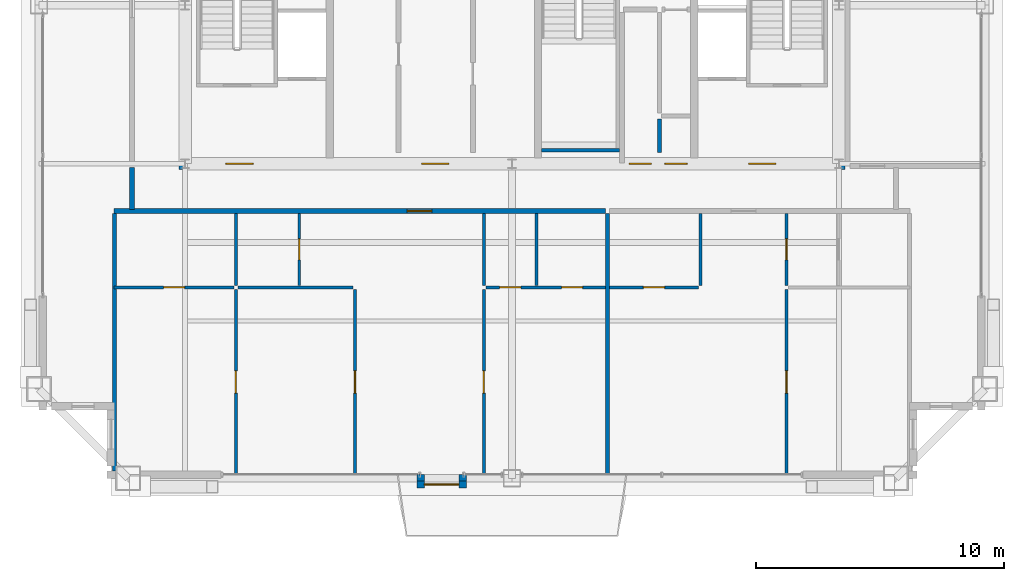
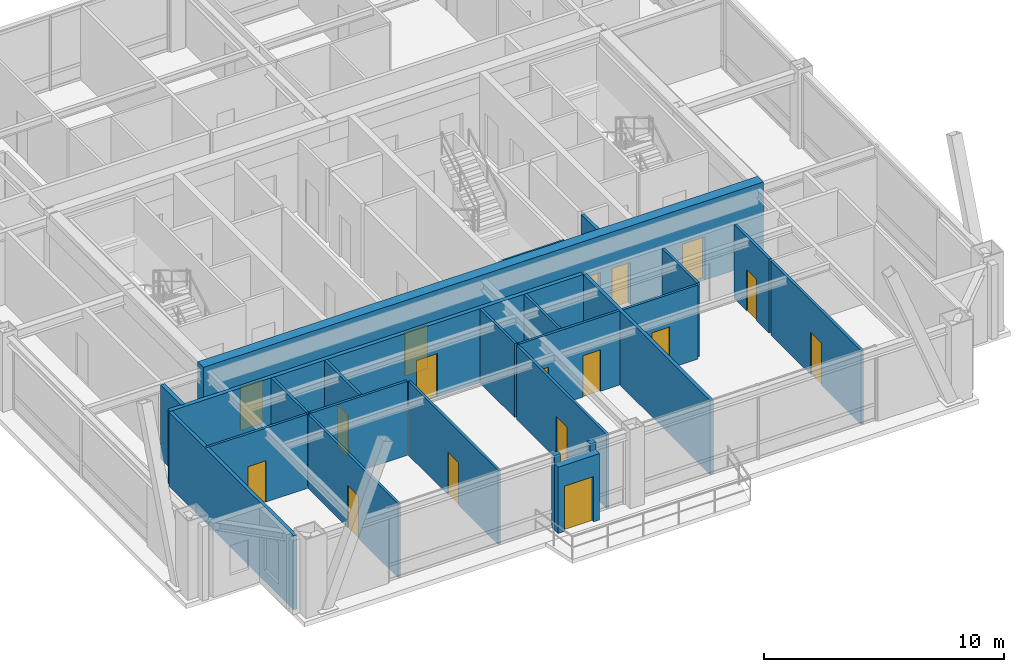
# One storey, part 30 of 35: 24 walls, 17 doors, 17 openings.
"""IFC4 building model written with IfcOpenShell, lengths in metres."""

from ifc_helpers import new_model, si_unit, direction, frame, frame_2d, origin, place, context, subcontext, project, spatial, rectangle, extrude, source, transform, mapped, material, layer, layer_set, type_object, element, fill, save


model = new_model("IFC4")

# Units and contexts
model_context = context("Model", 3, precision=1e-05, world=origin(), true_north=direction((0.0, 1.0)))
body_context = subcontext(model_context, "Body", "Model", "MODEL_VIEW")
ifc_project = project(units=[si_unit("LENGTHUNIT", "METRE"), si_unit("AREAUNIT", "SQUARE_METRE"), si_unit("VOLUMEUNIT", "CUBIC_METRE"), si_unit("PLANEANGLEUNIT", "RADIAN"), si_unit("MASSUNIT", "GRAM", prefix="KILO"), si_unit("THERMODYNAMICTEMPERATUREUNIT", "KELVIN"), si_unit("POWERUNIT", "WATT")], contexts=[model_context])

# Site, building, storey
site_placement = place(None, origin())
site = spatial("IfcSite", under=ifc_project, at=site_placement, CompositionType="ELEMENT")
building_placement = place(site_placement, origin())
building = spatial("IfcBuilding", under=site, at=building_placement, Name="Yuzanri Waterfront Tower", CompositionType="ELEMENT")
storey_placement = place(building_placement, frame((0.0, 0.0, 343.199951171875)))
storey = spatial("IfcBuildingStorey", under=building, at=storey_placement, Name="L92", CompositionType="ELEMENT", Elevation=343.199951171875)

# Wall, opening, door
ifc_material_1 = material(Name="Moisture-Resistant Gypsum Stud Wall", Category="gypsum")
ifc_layer_1 = layer(ifc_material_1, 0.1201171875)
ifc_layer_set_1 = layer_set([ifc_layer_1], Name="Moisture-Resistant Gypsum Stud Wall")
wall_type_1 = type_object("IfcWallType", Name="Bathroom and Kitchen Wet Partition 120", PredefinedType="PARTITIONING", material=ifc_layer_set_1)
wall_1_placement = place(storey_placement, frame((20.93994140625, 14.409912109375, 0.0), z_axis=(0.0, 0.0, 1.0), x_axis=(1.0, 0.0, 0.0)))
wall_1 = element("IfcWall", 1, at=wall_1_placement, inside=storey, type_object=wall_type_1, Name="L92 Partition UW-L92-HS1-SUB-1-S", PredefinedType="PARTITIONING", context=body_context, shape_type="SweptSolid", body=[
    extrude(rectangle(XDim=4.830078125, YDim=0.1201171875, at=frame_2d((2.4150390625, 0.0))), origin(), (0.0, 0.0, 1.0), 3.760009765625),
])
opening_1_placement = place(wall_1_placement, frame((1.989990234375, 0.0, 0.0)))
opening_1 = element("IfcOpeningElement", 2, at=opening_1_placement, cuts=wall_1, Name="Opening ID-0850", PredefinedType="OPENING", context=body_context, shape_type="SweptSolid", body=[
    extrude(rectangle(XDim=0.85009765625, YDim=2.10009765625, at=frame_2d((0.425048828125, 1.050048828125))), frame((0.0, 0.074951171875, 0.0), z_axis=(0.0, -1.0, 0.0), x_axis=(1.0, 0.0, 0.0)), (0.0, 0.0, 1.0), 0.14990234375),
])
ifc_material_2 = material(Name="Moisture-Resistant Lacquered Timber", Category="wood")
door_type_1 = type_object("IfcDoorType", Name="En-Suite Bathroom and Kitchen Swing Door 850x2100", OperationType="NOTDEFINED", PredefinedType="DOOR", material=ifc_material_2)
shared_shape_1 = source(origin(), body_context, "Body", "SweptSolid", [
    extrude(rectangle(XDim=0.85009765625, YDim=2.10009765625, at=frame_2d((0.425048828125, 1.050048828125))), frame((0.0, 0.02490234375, 0.0), z_axis=(0.0, -1.0, 0.0), x_axis=(1.0, 0.0, 0.0)), (0.0, 0.0, 1.0), 0.050048828125),
])
door_1_placement = place(opening_1_placement, origin())
door_1 = element("IfcDoor", 3, at=door_1_placement, inside=storey, type_object=door_type_1, Name="L92 Suite Interior Room Door", OperationType="SINGLE_SWING_LEFT", OverallHeight=2.10009765625, OverallWidth=0.85009765625, PredefinedType="DOOR", context=body_context, shape_type="MappedRepresentation", body=[
    mapped(shared_shape_1, transform((0.0, 0.0, 0.0), scale=1.0)),
])
fill(opening_1, door_1)

wall_2_placement = place(storey_placement, frame((28.409912109375, 14.489990234375, 0.0), z_axis=(0.0, 0.0, 1.0), x_axis=(0.0, 1.0, 0.0)))
wall_2 = element("IfcWall", 4, at=wall_2_placement, inside=storey, type_object=wall_type_1, Name="L92 Partition UW-L92-HS1-SUB-2-E", PredefinedType="PARTITIONING", context=body_context, shape_type="SweptSolid", body=[
    extrude(rectangle(XDim=2.89990234375, YDim=0.1201171875, at=frame_2d((1.449951171875, 0.0))), origin(), (0.0, 0.0, 1.0), 3.760009765625),
])
opening_2_placement = place(wall_2_placement, frame((1.02490234375, 0.0, 0.0)))
opening_2 = element("IfcOpeningElement", 5, at=opening_2_placement, cuts=wall_2, Name="Opening ID-0850", PredefinedType="OPENING", context=body_context, shape_type="SweptSolid", body=[
    extrude(rectangle(XDim=0.85009765625, YDim=2.10009765625, at=frame_2d((0.425048828125, 1.050048828125))), frame((0.0, 0.074951171875, 0.0), z_axis=(0.0, -1.0, 0.0), x_axis=(1.0, 0.0, 0.0)), (0.0, 0.0, 1.0), 0.14990234375),
])
door_2_placement = place(opening_2_placement, origin())
door_2 = element("IfcDoor", 6, at=door_2_placement, inside=storey, type_object=door_type_1, Name="L92 Suite Interior Room Door", OperationType="SINGLE_SWING_RIGHT", OverallHeight=2.10009765625, OverallWidth=0.85009765625, PredefinedType="DOOR", context=body_context, shape_type="MappedRepresentation", body=[
    mapped(shared_shape_1, transform((0.0, 0.0, 0.0), scale=1.0)),
])
fill(opening_2, door_2)

wall_3_placement = place(storey_placement, frame((25.85009765625, 6.85009765625, 0.0), z_axis=(0.0, 0.0, 1.0), x_axis=(0.0, 1.0, 0.0)))
wall_3 = element("IfcWall", 7, at=wall_3_placement, inside=storey, type_object=wall_type_1, Name="L92 Partition UW-L92-HS1-SUB-5-E", PredefinedType="PARTITIONING", context=body_context, shape_type="SweptSolid", body=[
    extrude(rectangle(XDim=7.47998046875, YDim=0.1201171875, at=frame_2d((3.739990234375, 0.0))), origin(), (0.0, 0.0, 1.0), 3.760009765625),
])
opening_3_placement = place(wall_3_placement, frame((3.2900390625, 0.0, 0.0)))
opening_3 = element("IfcOpeningElement", 8, at=opening_3_placement, cuts=wall_3, Name="Opening ID-0900", PredefinedType="OPENING", context=body_context, shape_type="SweptSolid", body=[
    extrude(rectangle(XDim=0.89990234375, YDim=2.14990234375, at=frame_2d((0.449951171875, 1.074951171875))), frame((0.0, 0.074951171875, 0.0), z_axis=(0.0, -1.0, 0.0), x_axis=(1.0, 0.0, 0.0)), (0.0, 0.0, 1.0), 0.14990234375),
])
ifc_material_3 = material(Name="Stained Walnut Veneer Timber", Category="wood")
door_type_2 = type_object("IfcDoorType", Name="Bedroom and Study Interior Swing Door 900x2150", OperationType="NOTDEFINED", PredefinedType="DOOR", material=ifc_material_3)
shared_shape_2 = source(origin(), body_context, "Body", "SweptSolid", [
    extrude(rectangle(XDim=0.89990234375, YDim=2.14990234375, at=frame_2d((0.449951171875, 1.074951171875))), frame((0.0, 0.02490234375, 0.0), z_axis=(0.0, -1.0, 0.0), x_axis=(1.0, 0.0, 0.0)), (0.0, 0.0, 1.0), 0.050048828125),
])
door_3_placement = place(opening_3_placement, origin())
door_3 = element("IfcDoor", 9, at=door_3_placement, inside=storey, type_object=door_type_2, Name="L92 Suite Interior Room Door", OperationType="SINGLE_SWING_LEFT", OverallHeight=2.14990234375, OverallWidth=0.89990234375, PredefinedType="DOOR", context=body_context, shape_type="MappedRepresentation", body=[
    mapped(shared_shape_2, transform((0.0, 0.0, 0.0), scale=1.0)),
])
fill(opening_3, door_3)

# Wall, openings, doors
wall_4_placement = place(storey_placement, frame((35.944091796875, 14.409912109375, 0.0), z_axis=(0.0, 0.0, 1.0), x_axis=(1.0, 0.0, 0.0)))
wall_4 = element("IfcWall", 10, at=wall_4_placement, inside=storey, type_object=wall_type_1, Name="L92 Partition UW-L92-HS1-SUB-6-N", PredefinedType="PARTITIONING", context=body_context, shape_type="SweptSolid", body=[
    extrude(rectangle(XDim=4.829833984375, YDim=0.1201171875, at=frame_2d((2.4150390625, 0.0))), origin(), (0.0, 0.0, 1.0), 3.760009765625),
])
opening_4_placement = place(wall_4_placement, frame((3.054931640625, 0.0, 0.0)))
opening_4 = element("IfcOpeningElement", 11, at=opening_4_placement, cuts=wall_4, Name="Opening ID-0850", PredefinedType="OPENING", context=body_context, shape_type="SweptSolid", body=[
    extrude(rectangle(XDim=0.85009765625, YDim=2.10009765625, at=frame_2d((0.425048828125, 1.050048828125))), frame((0.0, 0.074951171875, 0.0), z_axis=(0.0, -1.0, 0.0), x_axis=(1.0, 0.0, 0.0)), (0.0, 0.0, 1.0), 0.14990234375),
])
opening_5_placement = place(wall_4_placement, frame((0.56005859375, 0.0, 0.0)))
opening_5 = element("IfcOpeningElement", 12, at=opening_5_placement, cuts=wall_4, Name="Opening ID-0850", PredefinedType="OPENING", context=body_context, shape_type="SweptSolid", body=[
    extrude(rectangle(XDim=0.85009765625, YDim=2.10009765625, at=frame_2d((0.425048828125, 1.050048828125))), frame((0.0, 0.074951171875, 0.0), z_axis=(0.0, -1.0, 0.0), x_axis=(1.0, 0.0, 0.0)), (0.0, 0.0, 1.0), 0.14990234375),
])
door_4_placement = place(opening_4_placement, origin())
door_4 = element("IfcDoor", 13, at=door_4_placement, inside=storey, type_object=door_type_1, Name="L92 Suite Interior Room Door", OperationType="SINGLE_SWING_LEFT", OverallHeight=2.10009765625, OverallWidth=0.85009765625, PredefinedType="DOOR", context=body_context, shape_type="MappedRepresentation", body=[
    mapped(shared_shape_1, transform((0.0, 0.0, 0.0), scale=1.0)),
])
fill(opening_4, door_4)
door_5_placement = place(opening_5_placement, origin())
door_5 = element("IfcDoor", 14, at=door_5_placement, inside=storey, type_object=door_type_1, Name="L92 Suite Interior Room Door", OperationType="SINGLE_SWING_RIGHT", OverallHeight=2.10009765625, OverallWidth=0.85009765625, PredefinedType="DOOR", context=body_context, shape_type="MappedRepresentation", body=[
    mapped(shared_shape_1, transform((0.0, 0.0, 0.0), scale=1.0)),
])
fill(opening_5, door_5)

# Wall, opening, door
wall_5_placement = place(storey_placement, frame((35.864013671875, 6.85009765625, 0.0), z_axis=(0.0, 0.0, 1.0), x_axis=(0.0, 1.0, 0.0)))
wall_5 = element("IfcWall", 15, at=wall_5_placement, inside=storey, type_object=wall_type_1, Name="L92 Partition UW-L92-HS1-SUB-6-W", PredefinedType="PARTITIONING", context=body_context, shape_type="SweptSolid", body=[
    extrude(rectangle(XDim=7.47998046875, YDim=0.1201171875, at=frame_2d((3.739990234375, 0.0))), origin(), (0.0, 0.0, 1.0), 3.760009765625),
])
opening_6_placement = place(wall_5_placement, frame((3.2900390625, 0.0, 0.0)))
opening_6 = element("IfcOpeningElement", 16, at=opening_6_placement, cuts=wall_5, Name="Opening ID-0900", PredefinedType="OPENING", context=body_context, shape_type="SweptSolid", body=[
    extrude(rectangle(XDim=0.89990234375, YDim=2.14990234375, at=frame_2d((0.449951171875, 1.074951171875))), frame((0.0, 0.074951171875, 0.0), z_axis=(0.0, -1.0, 0.0), x_axis=(1.0, 0.0, 0.0)), (0.0, 0.0, 1.0), 0.14990234375),
])
door_6_placement = place(opening_6_placement, origin())
door_6 = element("IfcDoor", 17, at=door_6_placement, inside=storey, type_object=door_type_2, Name="L92 Suite Interior Room Door", OperationType="SINGLE_SWING_RIGHT", OverallHeight=2.14990234375, OverallWidth=0.89990234375, PredefinedType="DOOR", context=body_context, shape_type="MappedRepresentation", body=[
    mapped(shared_shape_2, transform((0.0, 0.0, 0.0), scale=1.0)),
])
fill(opening_6, door_6)

wall_6_placement = place(storey_placement, frame((30.6640625, 6.85009765625, 0.0), z_axis=(0.0, 0.0, 1.0), x_axis=(0.0, 1.0, 0.0)))
wall_6 = element("IfcWall", 18, at=wall_6_placement, inside=storey, type_object=wall_type_1, Name="L92 Partition UW-L92-HS1-SUB-7-E", PredefinedType="PARTITIONING", context=body_context, shape_type="SweptSolid", body=[
    extrude(rectangle(XDim=7.47998046875, YDim=0.1201171875, at=frame_2d((3.739990234375, 0.0))), origin(), (0.0, 0.0, 1.0), 3.760009765625),
])
opening_7_placement = place(wall_6_placement, frame((3.2900390625, 0.0, 0.0)))
opening_7 = element("IfcOpeningElement", 19, at=opening_7_placement, cuts=wall_6, Name="Opening ID-0900", PredefinedType="OPENING", context=body_context, shape_type="SweptSolid", body=[
    extrude(rectangle(XDim=0.89990234375, YDim=2.14990234375, at=frame_2d((0.449951171875, 1.074951171875))), frame((0.0, 0.074951171875, 0.0), z_axis=(0.0, -1.0, 0.0), x_axis=(1.0, 0.0, 0.0)), (0.0, 0.0, 1.0), 0.14990234375),
])
door_7_placement = place(opening_7_placement, origin())
door_7 = element("IfcDoor", 20, at=door_7_placement, inside=storey, type_object=door_type_2, Name="L92 Suite Interior Room Door", OperationType="SINGLE_SWING_LEFT", OverallHeight=2.14990234375, OverallWidth=0.89990234375, PredefinedType="DOOR", context=body_context, shape_type="MappedRepresentation", body=[
    mapped(shared_shape_2, transform((0.0, 0.0, 0.0), scale=1.0)),
])
fill(opening_7, door_7)

wall_7_placement = place(storey_placement, frame((40.93408203125, 14.409912109375, 0.0), z_axis=(0.0, 0.0, 1.0), x_axis=(1.0, 0.0, 0.0)))
wall_7 = element("IfcWall", 21, at=wall_7_placement, inside=storey, type_object=wall_type_1, Name="L92 Partition UW-L92-HS2-SUB-1-S", PredefinedType="PARTITIONING", context=body_context, shape_type="SweptSolid", body=[
    extrude(rectangle(XDim=3.599853515625, YDim=0.1201171875, at=frame_2d((1.7998046875, 0.0))), origin(), (0.0, 0.0, 1.0), 3.760009765625),
])
opening_8_placement = place(wall_7_placement, frame((1.375, 0.0, 0.0)))
opening_8 = element("IfcOpeningElement", 22, at=opening_8_placement, cuts=wall_7, Name="Opening ID-0850", PredefinedType="OPENING", context=body_context, shape_type="SweptSolid", body=[
    extrude(rectangle(XDim=0.85009765625, YDim=2.10009765625, at=frame_2d((0.425048828125, 1.050048828125))), frame((0.0, 0.074951171875, 0.0), z_axis=(0.0, -1.0, 0.0), x_axis=(1.0, 0.0, 0.0)), (0.0, 0.0, 1.0), 0.14990234375),
])
door_8_placement = place(opening_8_placement, origin())
door_8 = element("IfcDoor", 23, at=door_8_placement, inside=storey, type_object=door_type_1, Name="L92 Suite Interior Room Door", OperationType="SINGLE_SWING_LEFT", OverallHeight=2.10009765625, OverallWidth=0.85009765625, PredefinedType="DOOR", context=body_context, shape_type="MappedRepresentation", body=[
    mapped(shared_shape_1, transform((0.0, 0.0, 0.0), scale=1.0)),
])
fill(opening_8, door_8)

wall_8_placement = place(storey_placement, frame((48.08203125, 6.85009765625, 0.0), z_axis=(0.0, 0.0, 1.0), x_axis=(0.0, 1.0, 0.0)))
wall_8 = element("IfcWall", 24, at=wall_8_placement, inside=storey, type_object=wall_type_1, Name="L92 Partition UW-L92-HS2-SUB-3-W", PredefinedType="PARTITIONING", context=body_context, shape_type="SweptSolid", body=[
    extrude(rectangle(XDim=7.47998046875, YDim=0.1201171875, at=frame_2d((3.739990234375, 0.0))), origin(), (0.0, 0.0, 1.0), 3.760009765625),
])
opening_9_placement = place(wall_8_placement, frame((3.2900390625, 0.0, 0.0)))
opening_9 = element("IfcOpeningElement", 25, at=opening_9_placement, cuts=wall_8, Name="Opening ID-0900", PredefinedType="OPENING", context=body_context, shape_type="SweptSolid", body=[
    extrude(rectangle(XDim=0.89990234375, YDim=2.14990234375, at=frame_2d((0.449951171875, 1.074951171875))), frame((0.0, 0.074951171875, 0.0), z_axis=(0.0, -1.0, 0.0), x_axis=(1.0, 0.0, 0.0)), (0.0, 0.0, 1.0), 0.14990234375),
])
door_9_placement = place(opening_9_placement, origin())
door_9 = element("IfcDoor", 26, at=door_9_placement, inside=storey, type_object=door_type_2, Name="L92 Suite Interior Room Door", OperationType="SINGLE_SWING_LEFT", OverallHeight=2.14990234375, OverallWidth=0.89990234375, PredefinedType="DOOR", context=body_context, shape_type="MappedRepresentation", body=[
    mapped(shared_shape_2, transform((0.0, 0.0, 0.0), scale=1.0)),
])
fill(opening_9, door_9)

wall_9_placement = place(storey_placement, frame((48.08203125, 14.489990234375, 0.0), z_axis=(0.0, 0.0, 1.0), x_axis=(0.0, 1.0, 0.0)))
wall_9 = element("IfcWall", 27, at=wall_9_placement, inside=storey, type_object=wall_type_1, Name="L92 Partition UW-L92-HS2-SUB-4-W", PredefinedType="PARTITIONING", context=body_context, shape_type="SweptSolid", body=[
    extrude(rectangle(XDim=2.89990234375, YDim=0.1201171875, at=frame_2d((1.449951171875, 0.0))), origin(), (0.0, 0.0, 1.0), 3.760009765625),
])
opening_10_placement = place(wall_9_placement, frame((1.02490234375, 0.0, 0.0)))
opening_10 = element("IfcOpeningElement", 28, at=opening_10_placement, cuts=wall_9, Name="Opening ID-0850", PredefinedType="OPENING", context=body_context, shape_type="SweptSolid", body=[
    extrude(rectangle(XDim=0.85009765625, YDim=2.10009765625, at=frame_2d((0.425048828125, 1.050048828125))), frame((0.0, 0.074951171875, 0.0), z_axis=(0.0, -1.0, 0.0), x_axis=(1.0, 0.0, 0.0)), (0.0, 0.0, 1.0), 0.14990234375),
])
door_10_placement = place(opening_10_placement, origin())
door_10 = element("IfcDoor", 29, at=door_10_placement, inside=storey, type_object=door_type_1, Name="L92 Suite Interior Room Door", OperationType="SINGLE_SWING_RIGHT", OverallHeight=2.10009765625, OverallWidth=0.85009765625, PredefinedType="DOOR", context=body_context, shape_type="MappedRepresentation", body=[
    mapped(shared_shape_1, transform((0.0, 0.0, 0.0), scale=1.0)),
])
fill(opening_10, door_10)

ifc_material_4 = material(Name="Honed Chongqing Dark Basalt Stone", Category="masonry")
ifc_layer_2 = layer(ifc_material_4, 0.300048828125)
ifc_layer_set_2 = layer_set([ifc_layer_2], Name="Honed Chongqing Dark Basalt Stone")
wall_type_2 = type_object("IfcWallType", Name="Bronze Rainscreen Insulated Spandrel Portal Wall 300", PredefinedType="SOLIDWALL", material=ifc_layer_set_2)
wall_10_placement = place(storey_placement, frame((33.158935546875, 6.449951171875, 0.0), z_axis=(0.0, 0.0, 1.0), x_axis=(1.0, 0.0, 0.0)))
wall_10 = element("IfcWall", 30, at=wall_10_placement, inside=storey, type_object=wall_type_2, Name="L92 S Terrace Door Portal Wall", PredefinedType="SOLIDWALL", context=body_context, shape_type="SweptSolid", body=[
    extrude(rectangle(XDim=2.0, YDim=0.300048828125, at=frame_2d((1.0, 0.0))), origin(), (0.0, 0.0, 1.0), 3.364990234375),
])
opening_11_placement = place(wall_10_placement, frame((0.300048828125, 0.0, 0.0)))
opening_11 = element("IfcOpeningElement", 31, at=opening_11_placement, cuts=wall_10, Name="Opening TD-1400", PredefinedType="OPENING", context=body_context, shape_type="SweptSolid", body=[
    extrude(rectangle(XDim=1.39990234375, YDim=2.300048828125, at=frame_2d((0.699951171875, 1.14990234375))), frame((0.0, 0.1650390625, 0.0), z_axis=(0.0, -1.0, 0.0), x_axis=(1.0, 0.0, 0.0)), (0.0, 0.0, 1.0), 0.329833984375),
])
ifc_material_5 = material(Name="Anodized Architectural Bronze", Category="metal")
door_type_3 = type_object("IfcDoorType", Name="Anodized Bronze Balcony and Terrace Glazed Double Door 1400x2300", OperationType="NOTDEFINED", PredefinedType="DOOR", material=ifc_material_5)
shared_shape_3 = source(origin(), body_context, "Body", "SweptSolid", [
    extrude(rectangle(XDim=1.39990234375, YDim=2.300048828125, at=frame_2d((0.699951171875, 1.14990234375))), frame((0.0, 0.02490234375, 0.0), z_axis=(0.0, -1.0, 0.0), x_axis=(1.0, 0.0, 0.0)), (0.0, 0.0, 1.0), 0.050048828125),
])
door_11_placement = place(opening_11_placement, origin())
door_11 = element("IfcDoor", 32, at=door_11_placement, inside=storey, type_object=door_type_3, Name="L92 S Terrace Glazed Double Door", OperationType="DOUBLE_DOOR_SINGLE_SWING", OverallHeight=2.300048828125, OverallWidth=1.39990234375, PredefinedType="DOOR", context=body_context, shape_type="MappedRepresentation", body=[
    mapped(shared_shape_3, transform((0.0, 0.0, 0.0), scale=1.0)),
])
fill(opening_11, door_11)

# Wall, openings, doors
ifc_material_6 = material(Name="Concrete C45", Category="concrete")
ifc_layer_3 = layer(ifc_material_6, 0.47998046875)
ifc_layer_set_3 = layer_set([ifc_layer_3], Name="Concrete C45")
wall_type_3 = type_object("IfcWallType", Name="Concrete C45 High-Rise Core Shear Wall 480", PredefinedType="SHEAR", material=ifc_layer_set_3)
wall_11_placement = place(storey_placement, frame((23.56005859375, 19.39990234375, 0.0), z_axis=(0.0, 0.0, 1.0), x_axis=(1.0, 0.0, 0.0)))
wall_11 = element("IfcWall", 33, at=wall_11_placement, inside=storey, type_object=wall_type_3, Name="L92 Core South Shear Wall", PredefinedType="SHEAR", context=body_context, shape_type="SweptSolid", body=[
    extrude(rectangle(XDim=26.8798828125, YDim=0.47998046875, at=frame_2d((13.43994140625, 0.0))), origin(), (0.0, 0.0, 1.0), 4.0),
])
opening_12_placement = place(wall_11_placement, frame((1.889892578125, 0.0, 0.0)))
opening_12 = element("IfcOpeningElement", 34, at=opening_12_placement, cuts=wall_11, Name="Opening FD-1100", PredefinedType="OPENING", context=body_context, shape_type="SweptSolid", body=[
    extrude(rectangle(XDim=1.10009765625, YDim=2.199951171875, at=frame_2d((0.550048828125, 1.10009765625))), frame((0.0, 0.2548828125, 0.0), z_axis=(0.0, -1.0, 0.0), x_axis=(1.0, 0.0, 0.0)), (0.0, 0.0, 1.0), 0.509765625),
])
opening_13_placement = place(wall_11_placement, frame((9.7900390625, 0.0, 0.0)))
opening_13 = element("IfcOpeningElement", 35, at=opening_13_placement, cuts=wall_11, Name="Opening FD-1100", PredefinedType="OPENING", context=body_context, shape_type="SweptSolid", body=[
    extrude(rectangle(XDim=1.10009765625, YDim=2.199951171875, at=frame_2d((0.550048828125, 1.10009765625))), frame((0.0, 0.2548828125, 0.0), z_axis=(0.0, -1.0, 0.0), x_axis=(1.0, 0.0, 0.0)), (0.0, 0.0, 1.0), 0.509765625),
])
opening_14_placement = place(wall_11_placement, frame((22.989990234375, 0.0, 0.0)))
opening_14 = element("IfcOpeningElement", 36, at=opening_14_placement, cuts=wall_11, Name="Opening FD-1100", PredefinedType="OPENING", context=body_context, shape_type="SweptSolid", body=[
    extrude(rectangle(XDim=1.10009765625, YDim=2.199951171875, at=frame_2d((0.550048828125, 1.10009765625))), frame((0.0, 0.2548828125, 0.0), z_axis=(0.0, -1.0, 0.0), x_axis=(1.0, 0.0, 0.0)), (0.0, 0.0, 1.0), 0.509765625),
])
opening_15_placement = place(wall_11_placement, frame((19.610107421875, 0.0, 0.0)))
opening_15 = element("IfcOpeningElement", 37, at=opening_15_placement, cuts=wall_11, Name="Opening FD-0900", PredefinedType="OPENING", context=body_context, shape_type="SweptSolid", body=[
    extrude(rectangle(XDim=0.89990234375, YDim=2.14990234375, at=frame_2d((0.449951171875, 1.074951171875))), frame((0.0, 0.2548828125, 0.0), z_axis=(0.0, -1.0, 0.0), x_axis=(1.0, 0.0, 0.0)), (0.0, 0.0, 1.0), 0.509765625),
])
opening_16_placement = place(wall_11_placement, frame((18.169921875, 0.0, 0.0)))
opening_16 = element("IfcOpeningElement", 38, at=opening_16_placement, cuts=wall_11, Name="Opening FD-0900", PredefinedType="OPENING", context=body_context, shape_type="SweptSolid", body=[
    extrude(rectangle(XDim=0.89990234375, YDim=2.14990234375, at=frame_2d((0.449951171875, 1.074951171875))), frame((0.0, 0.2548828125, 0.0), z_axis=(0.0, -1.0, 0.0), x_axis=(1.0, 0.0, 0.0)), (0.0, 0.0, 1.0), 0.509765625),
])
ifc_material_7 = material(Name="Painted Galvanized Fire Steel", Category="steel")
door_type_4 = type_object("IfcDoorType", Name="Smoke-Proof Stair and Lobby Fire Door 1100x2200", OperationType="NOTDEFINED", PredefinedType="DOOR", material=ifc_material_7)
shared_shape_4 = source(origin(), body_context, "Body", "SweptSolid", [
    extrude(rectangle(XDim=1.10009765625, YDim=2.199951171875, at=frame_2d((0.550048828125, 1.10009765625))), frame((0.0, 0.02490234375, 0.0), z_axis=(0.0, -1.0, 0.0), x_axis=(1.0, 0.0, 0.0)), (0.0, 0.0, 1.0), 0.050048828125),
])
door_12_placement = place(opening_12_placement, origin())
door_12 = element("IfcDoor", 39, at=door_12_placement, inside=storey, type_object=door_type_4, Name="L92 West Firefighting Lobby Door", OperationType="SINGLE_SWING_LEFT", OverallHeight=2.199951171875, OverallWidth=1.10009765625, PredefinedType="DOOR", context=body_context, shape_type="MappedRepresentation", body=[
    mapped(shared_shape_4, transform((0.0, 0.0, 0.0), scale=1.0)),
])
fill(opening_12, door_12)
door_13_placement = place(opening_13_placement, origin())
door_13 = element("IfcDoor", 40, at=door_13_placement, inside=storey, type_object=door_type_4, Name="L92 Central Lift Lobby South Door", OperationType="SINGLE_SWING_RIGHT", OverallHeight=2.199951171875, OverallWidth=1.10009765625, PredefinedType="DOOR", context=body_context, shape_type="MappedRepresentation", body=[
    mapped(shared_shape_4, transform((0.0, 0.0, 0.0), scale=1.0)),
])
fill(opening_13, door_13)
door_14_placement = place(opening_14_placement, origin())
door_14 = element("IfcDoor", 41, at=door_14_placement, inside=storey, type_object=door_type_4, Name="L92 East Firefighting Lobby Door", OperationType="SINGLE_SWING_LEFT", OverallHeight=2.199951171875, OverallWidth=1.10009765625, PredefinedType="DOOR", context=body_context, shape_type="MappedRepresentation", body=[
    mapped(shared_shape_4, transform((0.0, 0.0, 0.0), scale=1.0)),
])
fill(opening_14, door_14)
ifc_material_8 = material(Name="Painted Galvanized Fire Steel", Category="steel")
door_type_5 = type_object("IfcDoorType", Name="Riser and Service Room Fire Door 900x2150", OperationType="NOTDEFINED", PredefinedType="DOOR", material=ifc_material_8)
shared_shape_5 = source(origin(), body_context, "Body", "SweptSolid", [
    extrude(rectangle(XDim=0.89990234375, YDim=2.14990234375, at=frame_2d((0.449951171875, 1.074951171875))), frame((0.0, 0.02490234375, 0.0), z_axis=(0.0, -1.0, 0.0), x_axis=(1.0, 0.0, 0.0)), (0.0, 0.0, 1.0), 0.050048828125),
])
door_15_placement = place(opening_15_placement, origin())
door_15 = element("IfcDoor", 42, at=door_15_placement, inside=storey, type_object=door_type_5, Name="L92 East Wet Riser Door", OperationType="SINGLE_SWING_LEFT", OverallHeight=2.14990234375, OverallWidth=0.89990234375, PredefinedType="DOOR", context=body_context, shape_type="MappedRepresentation", body=[
    mapped(shared_shape_5, transform((0.0, 0.0, 0.0), scale=1.0)),
])
fill(opening_15, door_15)
door_16_placement = place(opening_16_placement, origin())
door_16 = element("IfcDoor", 43, at=door_16_placement, inside=storey, type_object=door_type_5, Name="L92 Cleaners Store Room", OperationType="SINGLE_SWING_RIGHT", OverallHeight=2.14990234375, OverallWidth=0.89990234375, PredefinedType="DOOR", context=body_context, shape_type="MappedRepresentation", body=[
    mapped(shared_shape_5, transform((0.0, 0.0, 0.0), scale=1.0)),
])
fill(opening_16, door_16)

# Wall, opening, door
ifc_material_9 = material(Name="Autoclaved Aerated Concrete Blockwork", Category="masonry")
ifc_layer_4 = layer(ifc_material_9, 0.199951171875)
ifc_layer_set_4 = layer_set([ifc_layer_4], Name="Autoclaved Aerated Concrete Blockwork")
wall_type_4 = type_object("IfcWallType", Name="Corridor and Unit Party Fire Wall 200", PredefinedType="PARTITIONING", material=ifc_layer_set_4)
wall_12_placement = place(storey_placement, frame((20.93994140625, 17.489990234375, 0.0), z_axis=(0.0, 0.0, 1.0), x_axis=(1.0, 0.0, 0.0)))
wall_12 = element("IfcWall", 44, at=wall_12_placement, inside=storey, type_object=wall_type_4, Name="L92 Partition UW-L92-HS1-CN", PredefinedType="PARTITIONING", context=body_context, shape_type="SweptSolid", body=[
    extrude(rectangle(XDim=19.833984375, YDim=0.199951171875, at=frame_2d((9.9169921875, 0.0))), origin(), (0.0, 0.0, 1.0), 3.760009765625),
])
opening_17_placement = place(wall_12_placement, frame((11.823974609375, 0.0, 0.0)))
opening_17 = element("IfcOpeningElement", 45, at=opening_17_placement, cuts=wall_12, Name="Opening FD-1000", PredefinedType="OPENING", context=body_context, shape_type="SweptSolid", body=[
    extrude(rectangle(XDim=1.0, YDim=2.199951171875, at=frame_2d((0.5, 1.10009765625))), frame((0.0, 0.11474609375, 0.0), z_axis=(0.0, -1.0, 0.0), x_axis=(1.0, 0.0, 0.0)), (0.0, 0.0, 1.0), 0.229736328125),
])
ifc_material_10 = material(Name="Engineered Oak Fire-Rated Timber", Category="wood")
door_type_6 = type_object("IfcDoorType", Name="Guestroom and Apartment Entrance Fire Door 1000x2200", OperationType="NOTDEFINED", PredefinedType="DOOR", material=ifc_material_10)
shared_shape_6 = source(origin(), body_context, "Body", "SweptSolid", [
    extrude(rectangle(XDim=1.0, YDim=2.199951171875, at=frame_2d((0.5, 1.10009765625))), frame((0.0, 0.02490234375, 0.0), z_axis=(0.0, -1.0, 0.0), x_axis=(1.0, 0.0, 0.0)), (0.0, 0.0, 1.0), 0.050048828125),
])
door_17_placement = place(opening_17_placement, origin())
door_17 = element("IfcDoor", 46, at=door_17_placement, inside=storey, type_object=door_type_6, Name="L92 Penthouse Grand Living Salon Entrance Door", OperationType="SINGLE_SWING_RIGHT", OverallHeight=2.199951171875, OverallWidth=1.0, PredefinedType="DOOR", context=body_context, shape_type="MappedRepresentation", body=[
    mapped(shared_shape_6, transform((0.0, 0.0, 0.0), scale=1.0)),
])
fill(opening_17, door_17)

# Walls
shared_shape_7 = source(origin(), body_context, "Body", "SweptSolid", [
    extrude(rectangle(XDim=0.25, YDim=0.300048828125, at=frame_2d((0.125, 0.0))), origin(), (0.0, 0.0, 1.0), 3.760009765625),
])
for number, where, z_axis, x_axis, name in (
    (47, (33.30908203125, 6.85009765625, 0.0), (0.0, 0.0, 1.0), (0.0, -1.0, 0.0), "L92 S Terrace Portal Left Return"),
    (48, (35.009033203125, 6.60009765625, 0.0), (0.0, 0.0, 1.0), (0.0, 1.0, 0.0), "L92 S Terrace Portal Right Return"),
):
    element("IfcWall", number, at=place(storey_placement, frame(where, z_axis=z_axis, x_axis=x_axis)), inside=storey, type_object=wall_type_2, Name=name, PredefinedType="SOLIDWALL", context=body_context, shape_type="MappedRepresentation", body=[
        mapped(shared_shape_7, transform((0.0, 0.0, 0.0), scale=1.0)),
    ])
ifc_material_11 = material(Name="Concrete C40", Category="concrete")
ifc_layer_5 = layer(ifc_material_11, 0.139892578125)
ifc_layer_set_5 = layer_set([ifc_layer_5], Name="Concrete C40")
wall_type_5 = type_object("IfcWallType", Name="Core Stair Liner and Hoistway Shaft Wall 140", PredefinedType="SOLIDWALL", material=ifc_layer_set_5)
shared_shape_8 = source(origin(), body_context, "Body", "SweptSolid", [
    extrude(rectangle(XDim=3.14013671875, YDim=0.139892578125, at=frame_2d((1.570068359375, 0.0))), origin(), (0.0, 0.0, 1.0), 3.760009765625),
])
wall_13_placement = place(storey_placement, frame((38.199951171875, 19.949951171875, 0.0), z_axis=(0.0, 0.0, 1.0), x_axis=(1.0, 0.0, 0.0)))
element("IfcWall", 49, at=wall_13_placement, inside=storey, type_object=wall_type_5, Name="L92 Stair ST-03 South Shaft Wall", PredefinedType="SOLIDWALL", context=body_context, shape_type="MappedRepresentation", body=[
    mapped(shared_shape_8, transform((0.0, 0.0, 0.0), scale=1.0)),
])
ifc_material_12 = material(Name="Gypsum Fireboard Acoustic Stud Wall", Category="gypsum")
ifc_layer_6 = layer(ifc_material_12, 0.159912109375)
ifc_layer_set_6 = layer_set([ifc_layer_6], Name="Gypsum Fireboard Acoustic Stud Wall")
wall_type_6 = type_object("IfcWallType", Name="Acoustic Suite Demising Partition 160", PredefinedType="PARTITIONING", material=ifc_layer_set_6)
shared_shape_9 = source(origin(), body_context, "Body", "SweptSolid", [
    extrude(rectangle(XDim=1.33984375, YDim=0.159912109375, at=frame_2d((0.669921875, 0.0))), origin(), (0.0, 0.0, 1.0), 3.760009765625),
])
wall_14_placement = place(storey_placement, frame((42.949951171875, 19.860107421875, 0.0), z_axis=(0.0, 0.0, 1.0), x_axis=(0.0, 1.0, 0.0)))
element("IfcWall", 50, at=wall_14_placement, inside=storey, type_object=wall_type_6, Name="L92 East Wet Riser West Wall", PredefinedType="PARTITIONING", context=body_context, shape_type="MappedRepresentation", body=[
    mapped(shared_shape_9, transform((0.0, 0.0, 0.0), scale=1.0)),
])
shared_shape_10 = source(origin(), body_context, "Body", "SweptSolid", [
    extrude(rectangle(XDim=1.699951171875, YDim=0.199951171875, at=frame_2d((0.85009765625, 0.0))), origin(), (0.0, 0.0, 1.0), 3.760009765625),
])
wall_15_placement = place(storey_placement, frame((21.64990234375, 17.550048828125, 0.0), z_axis=(0.0, 0.0, 1.0), x_axis=(0.0, 1.0, 0.0)))
element("IfcWall", 51, at=wall_15_placement, inside=storey, type_object=wall_type_4, Name="L92 South Foyer West End Wall", PredefinedType="PARTITIONING", context=body_context, shape_type="MappedRepresentation", body=[
    mapped(shared_shape_10, transform((0.0, 0.0, 0.0), scale=1.0)),
])
shared_shape_11 = source(origin(), body_context, "Body", "SweptSolid", [
    extrude(rectangle(XDim=10.389892578125, YDim=0.159912109375, at=frame_2d((5.19482421875, 0.0))), origin(), (0.0, 0.0, 1.0), 3.760009765625),
])
wall_16_placement = place(storey_placement, frame((20.949951171875, 7.0, 0.0), z_axis=(0.0, 0.0, 1.0), x_axis=(0.0, 1.0, 0.0)))
element("IfcWall", 52, at=wall_16_placement, inside=storey, type_object=wall_type_6, Name="L92 South Band West End Wall", PredefinedType="PARTITIONING", context=body_context, shape_type="MappedRepresentation", body=[
    mapped(shared_shape_11, transform((0.0, 0.0, 0.0), scale=1.0)),
])
shared_shape_12 = source(origin(), body_context, "Body", "SweptSolid", [
    extrude(rectangle(XDim=2.89990234375, YDim=0.1201171875, at=frame_2d((1.449951171875, 0.0))), origin(), (0.0, 0.0, 1.0), 3.760009765625),
])
for number, where, z_axis, x_axis, name in (
    (53, (25.85009765625, 14.489990234375, 0.0), (0.0, 0.0, 1.0), (0.0, 1.0, 0.0), "L92 Partition UW-L92-HS1-SUB-1-E"),
    (54, (37.993896484375, 14.489990234375, 0.0), (0.0, 0.0, 1.0), (0.0, 1.0, 0.0), "L92 Partition UW-L92-HS1-SUB-3-W"),
    (55, (35.864013671875, 14.489990234375, 0.0), (0.0, 0.0, 1.0), (0.0, 1.0, 0.0), "L92 Partition UW-L92-HS1-SUB-4-W"),
    (56, (44.614013671875, 14.489990234375, 0.0), (0.0, 0.0, 1.0), (0.0, 1.0, 0.0), "L92 Partition UW-L92-HS2-SUB-1-E"),
):
    element("IfcWall", number, at=place(storey_placement, frame(where, z_axis=z_axis, x_axis=x_axis)), inside=storey, type_object=wall_type_1, Name=name, PredefinedType="PARTITIONING", context=body_context, shape_type="MappedRepresentation", body=[
        mapped(shared_shape_12, transform((0.0, 0.0, 0.0), scale=1.0)),
    ])
shared_shape_13 = source(origin(), body_context, "Body", "SweptSolid", [
    extrude(rectangle(XDim=10.539794921875, YDim=0.159912109375, at=frame_2d((5.27001953125, 0.0))), origin(), (0.0, 0.0, 1.0), 3.760009765625),
])
wall_17_placement = place(storey_placement, frame((40.85400390625, 6.85009765625, 0.0), z_axis=(0.0, 0.0, 1.0), x_axis=(0.0, 1.0, 0.0)))
element("IfcWall", 57, at=wall_17_placement, inside=storey, type_object=wall_type_6, Name="L92-HS1 Party Wall", PredefinedType="PARTITIONING", context=body_context, shape_type="MappedRepresentation", body=[
    mapped(shared_shape_13, transform((0.0, 0.0, 0.0), scale=1.0)),
])
shared_shape_14 = source(origin(), body_context, "Body", "SweptSolid", [
    extrude(rectangle(XDim=4.654052734375, YDim=0.1201171875, at=frame_2d((2.3271484375, 0.0))), origin(), (0.0, 0.0, 1.0), 3.760009765625),
])
wall_18_placement = place(storey_placement, frame((25.929931640625, 14.409912109375, 0.0), z_axis=(0.0, 0.0, 1.0), x_axis=(1.0, 0.0, 0.0)))
element("IfcWall", 58, at=wall_18_placement, inside=storey, type_object=wall_type_1, Name="L92 Partition UW-L92-HS1-SUB-7-N", PredefinedType="PARTITIONING", context=body_context, shape_type="MappedRepresentation", body=[
    mapped(shared_shape_14, transform((0.0, 0.0, 0.0), scale=1.0)),
])

save(model, "model.ifc")
